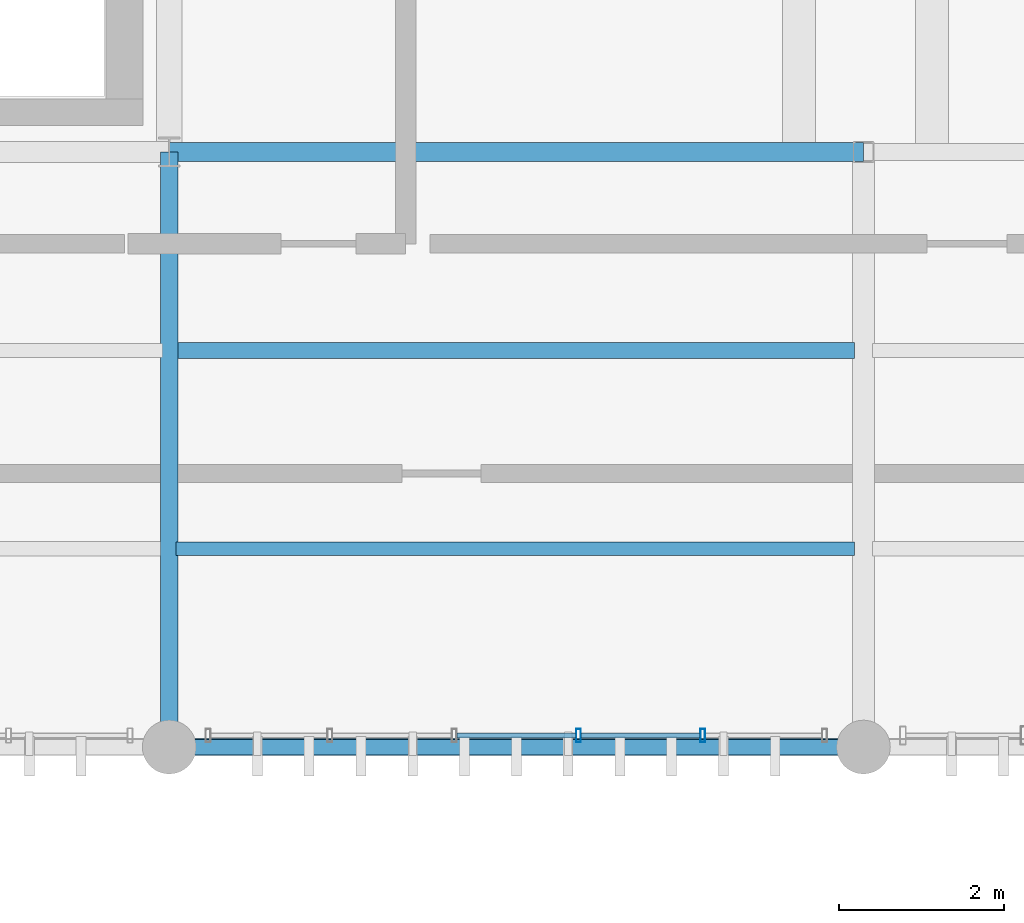
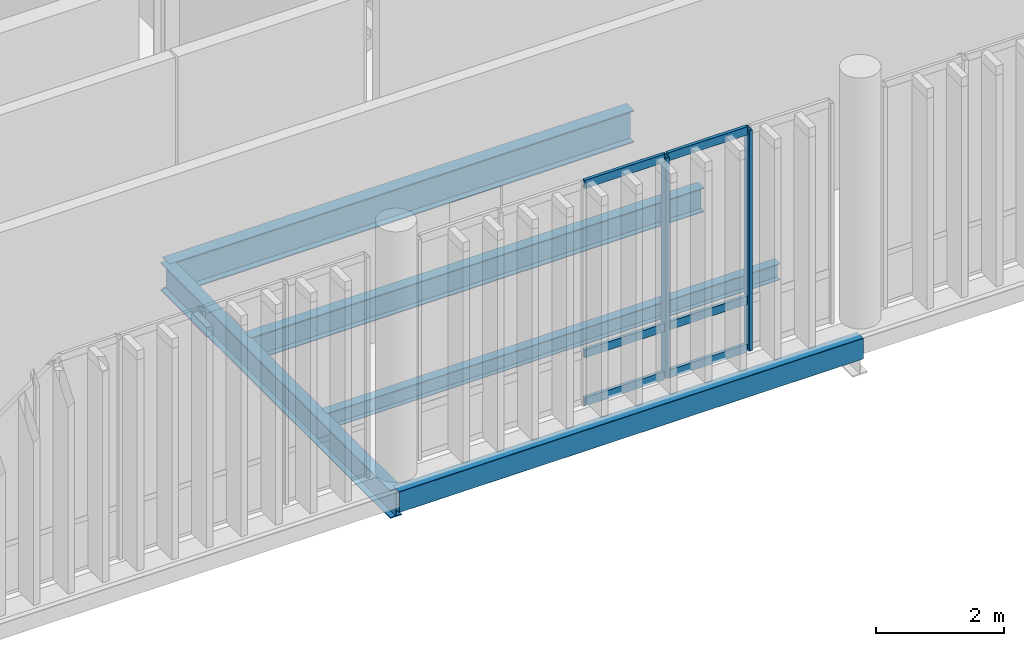
# One storey, part 23 of 86: 8 members, 5 beams, 1 element without a shape of its own.
"""IFC4 building model written with IfcOpenShell, lengths in metres."""

import ifcopenshell
import ifcopenshell.guid

model = None  # the IFC model being written
_history = None  # IfcOwnerHistory: only IFC2X3 demands one
_inside = {}  # id of a spatial element -> (the spatial element, [elements in it])
_under = {}  # id of a project, library or spatial element -> (it, [spatial elements below it])
_declared = {}  # id of a project -> (the project, [libraries it declares])
_typed = {}  # id of a type object -> (the type object, [elements of that type])
_made_of = {}  # id of a material, layer set ... -> (it, [elements and type objects made of it])


def new_model(schema):
    """Start an empty IFC model of exactly this schema.

    Asked for "IFC4X3", IfcOpenShell would pick the latest addendum, in which some entities
    have other attributes; the version numbers below select the first issue.
    IFC2X3 requires an IfcOwnerHistory on every rooted entity: one is made here for all.
    """
    global model, _history
    if schema == "IFC4X3":
        model = ifcopenshell.file(schema_version=(4, 3, 0, 0))
    else:
        model = ifcopenshell.file(schema=schema)
    _inside.clear()
    _under.clear()
    _declared.clear()
    _typed.clear()
    _made_of.clear()
    _history = None
    if model.schema == "IFC2X3":
        org = make("IfcOrganization", Name="unknown")
        user = make(
            "IfcPersonAndOrganization",
            ThePerson=make("IfcPerson", FamilyName="unknown"),
            TheOrganization=org,
        )
        app = make(
            "IfcApplication",
            ApplicationDeveloper=org,
            Version="unknown",
            ApplicationFullName="unknown",
            ApplicationIdentifier="unknown",
        )
        _history = make(
            "IfcOwnerHistory",
            OwningUser=user,
            OwningApplication=app,
            ChangeAction="ADDED",
            CreationDate=0,
        )
    return model


def make(cls, **values):
    """One entity of the class cls with the attributes given. An attribute that is None is left unset."""
    return model.create_entity(
        cls, **{name: value for name, value in values.items() if value is not None}
    )


def rooted(cls, **values):
    """An entity with a GlobalId (a new one), such as an element, a storey or a relation."""
    return make(cls, GlobalId=ifcopenshell.guid.new(), OwnerHistory=_history, **values)


def si_unit(unit_type, name, prefix=None):
    """IfcSIUnit, for example si_unit("LENGTHUNIT", "METRE", prefix="MILLI")."""
    return make("IfcSIUnit", UnitType=unit_type, Prefix=prefix, Name=name)


def assignment(units):
    """IfcUnitAssignment: the units of a project."""
    return None if units is None else make("IfcUnitAssignment", Units=units)


def point(xyz):
    """IfcCartesianPoint."""
    return None if xyz is None else make("IfcCartesianPoint", Coordinates=xyz)


def direction(xyz):
    """IfcDirection."""
    return None if xyz is None else make("IfcDirection", DirectionRatios=xyz)


def frame(location, z_axis=None, x_axis=None):
    """IfcAxis2Placement3D, a coordinate frame: its origin and axes. An axis left out is left unset."""
    return make(
        "IfcAxis2Placement3D",
        Location=point(location),
        Axis=direction(z_axis),
        RefDirection=direction(x_axis),
    )


def frame_2d(location, x_axis=None):
    """IfcAxis2Placement2D, a coordinate frame in the plane: its origin and x axis."""
    return make(
        "IfcAxis2Placement2D", Location=point(location), RefDirection=direction(x_axis)
    )


def origin_with_axes():
    """The frame at (0, 0, 0) with the z axis (0, 0, 1) and the x axis (1, 0, 0) written out."""
    return frame((0.0, 0.0, 0.0), z_axis=(0.0, 0.0, 1.0), x_axis=(1.0, 0.0, 0.0))


def origin_2d_with_axis():
    """The frame at (0, 0) in the plane with the x axis (1, 0) written out."""
    return frame_2d((0.0, 0.0), x_axis=(1.0, 0.0))


def place(relative_to, where):
    """IfcLocalPlacement: puts the frame where relative to a parent placement (None: the world)."""
    return make(
        "IfcLocalPlacement", PlacementRelTo=relative_to, RelativePlacement=where
    )


def context(
    kind, dimensions, precision=None, world=None, true_north=None, identifier=None
):
    """IfcGeometricRepresentationContext, for example the 3D "Model" context."""
    return make(
        "IfcGeometricRepresentationContext",
        ContextIdentifier=identifier,
        ContextType=kind,
        CoordinateSpaceDimension=dimensions,
        Precision=precision,
        WorldCoordinateSystem=world,
        TrueNorth=true_north,
    )


def subcontext(parent, identifier, kind, view, scale=None):
    """IfcGeometricRepresentationSubContext, for example "Body" below "Model"."""
    return make(
        "IfcGeometricRepresentationSubContext",
        ContextIdentifier=identifier,
        ContextType=kind,
        ParentContext=parent,
        TargetScale=scale,
        TargetView=view,
    )


def project(units=None, contexts=None):
    """IfcProject with its units and contexts."""
    return rooted(
        "IfcProject",
        Name="project",
        RepresentationContexts=contexts,
        UnitsInContext=assignment(units),
    )


def spatial(cls, under=None, at=None, **own):
    """A site, building, storey or space (cls), placed at a placement, below another one or the project."""
    s = rooted(cls, ObjectPlacement=at, **own)
    if under is not None:
        _under.setdefault(under.id(), (under, []))[1].append(s)
    return s


def profile(cls, at=None, kind="AREA", **sizes):
    """A parametric profile (cls). Its sizes go by their IFC names, for example OverallWidth=200.0."""
    return make(cls, ProfileType=kind, Position=at, **sizes)


def hollow_rectangle(**sizes):
    """IfcRectangleHollowProfileDef."""
    return profile("IfcRectangleHollowProfileDef", **sizes)


def i_section(**sizes):
    """IfcIShapeProfileDef."""
    return profile("IfcIShapeProfileDef", **sizes)


def extrude(swept, where, along, depth):
    """IfcExtrudedAreaSolid: the profile swept, set in the frame where, extruded along a direction by depth."""
    return make(
        "IfcExtrudedAreaSolid",
        SweptArea=swept,
        Position=where,
        ExtrudedDirection=direction(along),
        Depth=depth,
    )


def shape(context_of_items, identifier, shape_type, items):
    """IfcShapeRepresentation: the items that make up one representation, for example the "Body"."""
    return make(
        "IfcShapeRepresentation",
        ContextOfItems=context_of_items,
        RepresentationIdentifier=identifier,
        RepresentationType=shape_type,
        Items=items,
    )


def material(Name=None, Category=None):
    """IfcMaterial."""
    return make("IfcMaterial", Name=Name, Category=Category)


def material_profile(
    of_material, cross_section, Name=None, Category=None, Priority=None
):
    """IfcMaterialProfile: a cross section and its material."""
    return make(
        "IfcMaterialProfile",
        Name=Name,
        Material=of_material,
        Profile=cross_section,
        Priority=Priority,
        Category=Category,
    )


def profile_set(profiles, Name=None, composite=None):
    """IfcMaterialProfileSet."""
    return make(
        "IfcMaterialProfileSet",
        Name=Name,
        MaterialProfiles=profiles,
        CompositeProfile=composite,
    )


def made_of(thing, what):
    """Note that an element or type object is made of a material, layer set ...; save() writes the relation."""
    if what is not None:
        _made_of.setdefault(what.id(), (what, []))[1].append(thing)
    return thing


def type_object(cls, material=None, **own):
    """A type object (cls), such as IfcWallType, which elements share."""
    return made_of(rooted(cls, **own), material)


def element(
    cls,
    number,
    at=None,
    inside=None,
    cuts=None,
    type_object=None,
    material=None,
    context=None,
    identifier="Body",
    shape_type=None,
    held_by="IfcProductDefinitionShape",
    body=None,
    shapes=None,
    **own,
):
    """One element of the class cls, such as IfcWall. Its Tag is "e" and its number.

    at: its placement. inside: the storey or other place that contains it. cuts: it is an
    opening in that element (IfcRelVoidsElement). A single representation is given by context,
    identifier, shape_type and body (its items); several are given by shapes. held_by: the class
    of the entity that holds the representations. save() writes the other relations.
    """
    e = rooted(cls, Tag="e%d" % number, ObjectPlacement=at, **own)
    if body is not None:
        shapes = [shape(context, identifier, shape_type, body)]
    if shapes is not None:
        e.Representation = make(held_by, Representations=shapes)
    if inside is not None:
        _inside.setdefault(inside.id(), (inside, []))[1].append(e)
    if cuts is not None:
        rooted(
            "IfcRelVoidsElement", RelatingBuildingElement=cuts, RelatedOpeningElement=e
        )
    if type_object is not None:
        _typed.setdefault(type_object.id(), (type_object, []))[1].append(e)
    return made_of(e, material)


def aggregate(whole, parts):
    """IfcRelAggregates: a whole, such as a stair, and the parts it consists of."""
    return rooted("IfcRelAggregates", RelatingObject=whole, RelatedObjects=parts)


def save(model, path):
    """Write the relations noted so far, then the file.

    IfcRelAggregates (storeys below a building ...), IfcRelContainedInSpatialStructure (elements
    in a storey), IfcRelDefinesByType, IfcRelAssociatesMaterial and IfcRelDeclares: one each for
    every whole, place, type object, material and project.
    """
    for whole, parts in _under.values():
        aggregate(whole, parts)
    for where, things in _inside.values():
        rooted(
            "IfcRelContainedInSpatialStructure",
            RelatedElements=things,
            RelatingStructure=where,
        )
    for kind, things in _typed.values():
        rooted("IfcRelDefinesByType", RelatedObjects=things, RelatingType=kind)
    for what, things in _made_of.values():
        rooted("IfcRelAssociatesMaterial", RelatedObjects=things, RelatingMaterial=what)
    for by, libraries in _declared.values():
        rooted("IfcRelDeclares", RelatingContext=by, RelatedDefinitions=libraries)
    model.write(path)


model = new_model("IFC4")

# Units and contexts
model_context = context("Model", 3, precision=1e-05, world=origin_with_axes(), true_north=direction((0.0, 1.0)))
body_context = subcontext(model_context, "Body", "Model", "MODEL_VIEW")
ifc_project = project(units=[si_unit("LENGTHUNIT", "METRE"), si_unit("AREAUNIT", "SQUARE_METRE"), si_unit("VOLUMEUNIT", "CUBIC_METRE"), si_unit("PLANEANGLEUNIT", "RADIAN"), si_unit("MASSUNIT", "GRAM", prefix="KILO"), si_unit("THERMODYNAMICTEMPERATUREUNIT", "KELVIN")], contexts=[model_context])

# Site, building, storey
site_placement = place(None, origin_with_axes())
site = spatial("IfcSite", under=ifc_project, at=site_placement, CompositionType="ELEMENT")
building_placement = place(site_placement, origin_with_axes())
building = spatial("IfcBuilding", under=site, at=building_placement, Name="Montbau Bow Law Courts", CompositionType="ELEMENT")
storey_placement = place(building_placement, frame((0.0, 0.0, 29.7), z_axis=(0.0, 0.0, 1.0), x_axis=(1.0, 0.0, 0.0)))
storey = spatial("IfcBuildingStorey", under=building, at=storey_placement, Name="L06", CompositionType="ELEMENT", Elevation=29.7)

# Beams
ifc_material_1 = material(Name="Steel CSA G40.21 Grade 350W (350 MPa)", Category="steel")
ifc_material_profile_1 = material_profile(ifc_material_1, i_section(OverallWidth=0.229, OverallDepth=0.612, WebThickness=0.0119, FlangeThickness=0.0196, at=origin_2d_with_axis()), Name="W610X125", Category="Main", Priority=0)
ifc_profile_set_1 = profile_set([ifc_material_profile_1], Name="Steel CSA G40.21 Grade 350W (350 MPa)")
beam_type_1 = type_object("IfcBeamType", Name="B-FLR-05", PredefinedType="BEAM", material=ifc_profile_set_1)
beam_1_placement = place(None, frame((63.6, 46.2, 29.054), z_axis=(1.0, 0.0, 0.0), x_axis=(0.0, 1.0, 0.0)))
element("IfcBeam", 1, at=beam_1_placement, inside=storey, type_object=beam_type_1, Name="BM-L06-S1000:bm2_1003", PredefinedType="BEAM", context=body_context, shape_type="SweptSolid", body=[
    extrude(i_section(OverallWidth=0.229, OverallDepth=0.612, WebThickness=0.0119, FlangeThickness=0.0196, at=origin_2d_with_axis()), origin_with_axes(), (0.0, 0.0, 1.0), 8.4),
])
ifc_material_profile_2 = material_profile(ifc_material_1, i_section(OverallWidth=0.21, OverallDepth=0.537, WebThickness=0.0109, FlangeThickness=0.0174, at=origin_2d_with_axis()), Name="W530X101", Category="Main", Priority=0)
ifc_profile_set_2 = profile_set([ifc_material_profile_2], Name="Steel CSA G40.21 Grade 350W (350 MPa)")
beam_type_2 = type_object("IfcBeamType", Name="B-FLR-06", PredefinedType="BEAM", material=ifc_profile_set_2)
beam_2_placement = place(None, frame((63.6, 39.0, 29.091), z_axis=(0.0, 1.0, 0.0), x_axis=(-1.0, 0.0, 0.0)))
element("IfcBeam", 2, at=beam_2_placement, inside=storey, type_object=beam_type_2, Name="BM-L06-S1007:bm2_1010", PredefinedType="BEAM", context=body_context, shape_type="SweptSolid", body=[
    extrude(i_section(OverallWidth=0.21, OverallDepth=0.537, WebThickness=0.0109, FlangeThickness=0.0174, at=origin_2d_with_axis()), origin_with_axes(), (0.0, 0.0, 1.0), 7.2),
])
ifc_material_profile_3 = material_profile(ifc_material_1, i_section(OverallWidth=0.191, OverallDepth=0.46, WebThickness=0.0099, FlangeThickness=0.016, at=origin_2d_with_axis()), Name="W460X82", Category="Main", Priority=0)
ifc_profile_set_3 = profile_set([ifc_material_profile_3], Name="Steel CSA G40.21 Grade 350W (350 MPa)")
beam_type_3 = type_object("IfcBeamType", Name="B-JST-01", PredefinedType="JOIST", material=ifc_profile_set_3)
beam_3_placement = place(None, frame((63.681, 43.8, 29.13), z_axis=(1.0, 0.0, 0.0), x_axis=(0.0, 1.0, 0.0)))
element("IfcBeam", 3, at=beam_3_placement, inside=storey, type_object=beam_type_3, Name="JST-L06-S0512:jst2_0512", PredefinedType="JOIST", context=body_context, shape_type="SweptSolid", body=[
    extrude(i_section(OverallWidth=0.191, OverallDepth=0.46, WebThickness=0.0099, FlangeThickness=0.016, at=origin_2d_with_axis()), origin_with_axes(), (0.0, 0.0, 1.0), 8.21),
])
ifc_material_profile_4 = material_profile(ifc_material_1, i_section(OverallWidth=0.166, OverallDepth=0.313, WebThickness=0.0066, FlangeThickness=0.0112, at=origin_2d_with_axis()), Name="W310X45", Category="Main", Priority=0)
ifc_profile_set_4 = profile_set([ifc_material_profile_4], Name="Steel CSA G40.21 Grade 350W (350 MPa)")
beam_type_4 = type_object("IfcBeamType", Name="B-JST-04", PredefinedType="JOIST", material=ifc_profile_set_4)
beam_4_placement = place(None, frame((63.681, 41.4, 29.203), z_axis=(1.0, 0.0, 0.0), x_axis=(0.0, 1.0, 0.0)))
element("IfcBeam", 4, at=beam_4_placement, inside=storey, type_object=beam_type_4, Name="JST-L06-S0511:jst2_0511", PredefinedType="JOIST", context=body_context, shape_type="SweptSolid", body=[
    extrude(i_section(OverallWidth=0.166, OverallDepth=0.313, WebThickness=0.0066, FlangeThickness=0.0112, at=origin_2d_with_axis()), origin_with_axes(), (0.0, 0.0, 1.0), 8.21),
])
ifc_material_2 = material(Name="Steel CSA G40.21 Grade 350WT (350 MPa)", Category="steel")
ifc_material_profile_5 = material_profile(ifc_material_2, hollow_rectangle(XDim=0.203, YDim=0.406, WallThickness=0.0127, InnerFilletRadius=0.0254, OuterFilletRadius=0.0127, at=origin_2d_with_axis()), Name="HSS406X203X13", Category="Main", Priority=0)
ifc_profile_set_5 = profile_set([ifc_material_profile_5], Name="Steel CSA G40.21 Grade 350WT (350 MPa)")
beam_type_5 = type_object("IfcBeamType", Name="B-SPN-01", PredefinedType="SPANDREL", material=ifc_profile_set_5)
beam_5_placement = place(None, frame((63.6, 39.0, 29.157), z_axis=(1.0, 0.0, 0.0), x_axis=(0.0, 1.0, 0.0)))
element("IfcBeam", 5, at=beam_5_placement, inside=storey, type_object=beam_type_5, Name="SPN-L06-S0997:bm2_1000", PredefinedType="SPANDREL", context=body_context, shape_type="SweptSolid", body=[
    extrude(hollow_rectangle(XDim=0.203, YDim=0.406, WallThickness=0.0127, InnerFilletRadius=0.0254, OuterFilletRadius=0.0127, at=origin_2d_with_axis()), origin_with_axes(), (0.0, 0.0, 1.0), 8.4),
])

# Curtain wall, members
ifc_material_3 = material(Name="Thermally Broken Extruded Aluminium AA 6063-T6", Category="aluminium")
curtain_wall_type = type_object("IfcCurtainWallType", Name="CW-CRM-02", PredefinedType="NOTDEFINED", material=ifc_material_3)
curtain_wall_placement = place(None, frame((64.04, 39.14, 29.7), z_axis=(0.0, 0.0, 1.0), x_axis=(1.0, 0.0, 0.0)))
curtain_wall = element("IfcCurtainWall", 6, at=curtain_wall_placement, inside=storey, type_object=curtain_wall_type, Name="CW-L06-224:cw_0224", PredefinedType="NOTDEFINED")
ifc_material_profile_6 = material_profile(ifc_material_3, hollow_rectangle(XDim=0.06, YDim=0.16, WallThickness=0.004, InnerFilletRadius=0.008, OuterFilletRadius=0.004, at=origin_2d_with_axis()), Name="CWM-160X60", Category="Main", Priority=0)
ifc_profile_set_6 = profile_set([ifc_material_profile_6], Name="Thermally Broken Extruded Aluminium AA 6063-T6")
member_type_1 = type_object("IfcMemberType", Name="M-MUL-03", PredefinedType="MULLION", material=ifc_profile_set_6)
member_1_placement = place(None, frame((68.552, 39.14, 29.7), z_axis=(0.0, 0.0, 1.0), x_axis=(1.0, 0.0, 0.0)))
member_1 = element("IfcMember", 7, at=member_1_placement, type_object=member_type_1, Name="CW-L06-224-M04:cw_0224_M04", PredefinedType="MULLION", context=body_context, shape_type="SweptSolid", body=[
    extrude(hollow_rectangle(XDim=0.06, YDim=0.16, WallThickness=0.004, InnerFilletRadius=0.008, OuterFilletRadius=0.004, at=origin_2d_with_axis()), origin_with_axes(), (0.0, 0.0, 1.0), 4.22),
])
member_2_placement = place(None, frame((70.056, 39.14, 29.7), z_axis=(0.0, 0.0, 1.0), x_axis=(1.0, 0.0, 0.0)))
member_2 = element("IfcMember", 8, at=member_2_placement, type_object=member_type_1, Name="CW-L06-224-M05:cw_0224_M05", PredefinedType="MULLION", context=body_context, shape_type="SweptSolid", body=[
    extrude(hollow_rectangle(XDim=0.06, YDim=0.16, WallThickness=0.004, InnerFilletRadius=0.008, OuterFilletRadius=0.004, at=origin_2d_with_axis()), origin_with_axes(), (0.0, 0.0, 1.0), 4.22),
])
ifc_material_profile_7 = material_profile(ifc_material_3, hollow_rectangle(XDim=0.06, YDim=0.16, WallThickness=0.004, InnerFilletRadius=0.008, OuterFilletRadius=0.004, at=origin_2d_with_axis()), Name="CWT-160X60", Category="Main", Priority=0)
ifc_profile_set_7 = profile_set([ifc_material_profile_7], Name="Thermally Broken Extruded Aluminium AA 6063-T6")
member_type_2 = type_object("IfcMemberType", Name="M-TRN-01", PredefinedType="USERDEFINED", material=ifc_profile_set_7)
member_3_placement = place(None, frame((67.08, 39.14, 29.73), z_axis=(1.0, 0.0, 0.0), x_axis=(0.0, 1.0, 0.0)))
member_3 = element("IfcMember", 9, at=member_3_placement, type_object=member_type_2, Name="CW-L06-224-T03-1:cw_0224_T03_1", ObjectType="TRANSOM", PredefinedType="USERDEFINED", context=body_context, shape_type="SweptSolid", body=[
    extrude(hollow_rectangle(XDim=0.06, YDim=0.16, WallThickness=0.004, InnerFilletRadius=0.008, OuterFilletRadius=0.004, at=origin_2d_with_axis()), origin_with_axes(), (0.0, 0.0, 1.0), 1.44),
])
member_4_placement = place(None, frame((67.08, 39.14, 30.65), z_axis=(1.0, 0.0, 0.0), x_axis=(0.0, 1.0, 0.0)))
member_4 = element("IfcMember", 10, at=member_4_placement, type_object=member_type_2, Name="CW-L06-224-T03-2:cw_0224_T03_2", ObjectType="TRANSOM", PredefinedType="USERDEFINED", context=body_context, shape_type="SweptSolid", body=[
    extrude(hollow_rectangle(XDim=0.06, YDim=0.16, WallThickness=0.004, InnerFilletRadius=0.008, OuterFilletRadius=0.004, at=origin_2d_with_axis()), origin_with_axes(), (0.0, 0.0, 1.0), 1.44),
])
member_5_placement = place(None, frame((67.08, 39.14, 33.89), z_axis=(1.0, 0.0, 0.0), x_axis=(0.0, 1.0, 0.0)))
member_5 = element("IfcMember", 11, at=member_5_placement, type_object=member_type_2, Name="CW-L06-224-T03-3:cw_0224_T03_3", ObjectType="TRANSOM", PredefinedType="USERDEFINED", context=body_context, shape_type="SweptSolid", body=[
    extrude(hollow_rectangle(XDim=0.06, YDim=0.16, WallThickness=0.004, InnerFilletRadius=0.008, OuterFilletRadius=0.004, at=origin_2d_with_axis()), origin_with_axes(), (0.0, 0.0, 1.0), 1.44),
])
member_6_placement = place(None, frame((68.584, 39.14, 29.73), z_axis=(1.0, 0.0, 0.0), x_axis=(0.0, 1.0, 0.0)))
member_6 = element("IfcMember", 12, at=member_6_placement, type_object=member_type_2, Name="CW-L06-224-T04-1:cw_0224_T04_1", ObjectType="TRANSOM", PredefinedType="USERDEFINED", context=body_context, shape_type="SweptSolid", body=[
    extrude(hollow_rectangle(XDim=0.06, YDim=0.16, WallThickness=0.004, InnerFilletRadius=0.008, OuterFilletRadius=0.004, at=origin_2d_with_axis()), origin_with_axes(), (0.0, 0.0, 1.0), 1.44),
])
member_7_placement = place(None, frame((68.584, 39.14, 30.65), z_axis=(1.0, 0.0, 0.0), x_axis=(0.0, 1.0, 0.0)))
member_7 = element("IfcMember", 13, at=member_7_placement, type_object=member_type_2, Name="CW-L06-224-T04-2:cw_0224_T04_2", ObjectType="TRANSOM", PredefinedType="USERDEFINED", context=body_context, shape_type="SweptSolid", body=[
    extrude(hollow_rectangle(XDim=0.06, YDim=0.16, WallThickness=0.004, InnerFilletRadius=0.008, OuterFilletRadius=0.004, at=origin_2d_with_axis()), origin_with_axes(), (0.0, 0.0, 1.0), 1.44),
])
member_8_placement = place(None, frame((68.584, 39.14, 33.89), z_axis=(1.0, 0.0, 0.0), x_axis=(0.0, 1.0, 0.0)))
member_8 = element("IfcMember", 14, at=member_8_placement, type_object=member_type_2, Name="CW-L06-224-T04-3:cw_0224_T04_3", ObjectType="TRANSOM", PredefinedType="USERDEFINED", context=body_context, shape_type="SweptSolid", body=[
    extrude(hollow_rectangle(XDim=0.06, YDim=0.16, WallThickness=0.004, InnerFilletRadius=0.008, OuterFilletRadius=0.004, at=origin_2d_with_axis()), origin_with_axes(), (0.0, 0.0, 1.0), 1.44),
])
aggregate(curtain_wall, [member_1, member_2, member_3, member_4, member_5, member_6, member_7, member_8])

save(model, "model.ifc")
